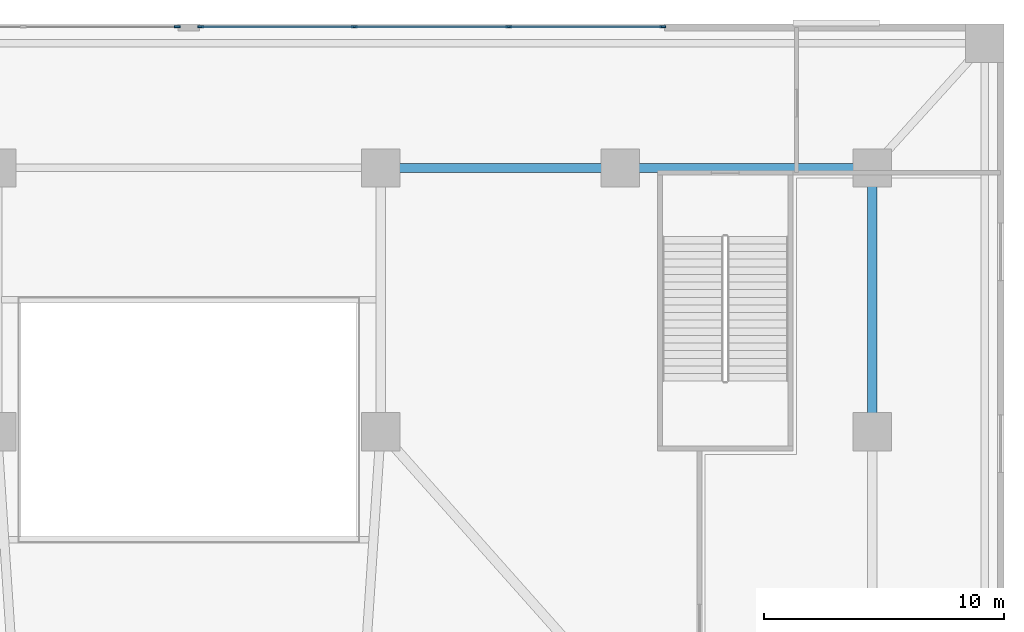
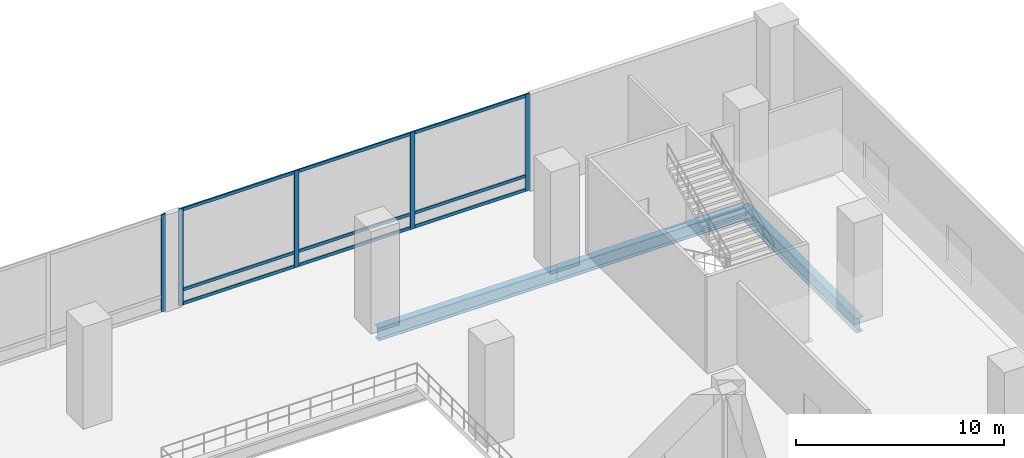
# One storey, part 4 of 16: 14 members, 3 beams, 2 elements without a shape of their own.
"""IFC4 building model written with IfcOpenShell, lengths in metres."""

from ifc_helpers import new_model, si_unit, direction, frame, origin, origin_2d, place, context, subcontext, project, spatial, rectangle, i_section, extrude, material, material_profile, profile_set, type_object, element, aggregate, save


model = new_model("IFC4")

# Units and contexts
model_context = context("Model", 3, precision=1e-05, world=origin(), true_north=direction((0.0, 1.0)))
body_context = subcontext(model_context, "Body", "Model", "MODEL_VIEW")
ifc_project = project(units=[si_unit("LENGTHUNIT", "METRE"), si_unit("AREAUNIT", "SQUARE_METRE"), si_unit("VOLUMEUNIT", "CUBIC_METRE"), si_unit("PLANEANGLEUNIT", "RADIAN"), si_unit("MASSUNIT", "GRAM", prefix="KILO")], contexts=[model_context])

# Site, building, storey
site_placement = place(None, origin())
site = spatial("IfcSite", under=ifc_project, at=site_placement, CompositionType="ELEMENT")
building_placement = place(site_placement, origin())
building = spatial("IfcBuilding", under=site, at=building_placement, Name="Solmavex Isthmus Hotel", CompositionType="ELEMENT")
storey_placement = place(building_placement, frame((0.0, 0.0, 5.39990234375)))
storey = spatial("IfcBuildingStorey", under=building, at=storey_placement, Name="L02", CompositionType="ELEMENT", Elevation=5.39990234375)

# Beams
ifc_material_1 = material(Name="Steel ASTM A992 Grade 50", Category="steel")
ifc_material_profile_1 = material_profile(ifc_material_1, i_section(OverallWidth=0.380615234375, OverallDepth=0.773193359375, WebThickness=0.0166015625, FlangeThickness=0.027099609375, FilletRadius=0.01904296875, at=origin_2d()), Name="W30X173")
ifc_profile_set_1 = profile_set([ifc_material_profile_1], Name="Steel ASTM A992 Grade 50")
beam_type_1 = type_object("IfcBeamType", Name="BM-BG-W30X173", PredefinedType="BEAM", material=ifc_profile_set_1)
beam_1_placement = place(storey_placement, frame((8.0, 17.5, -0.6865234375), z_axis=(1.0, 0.0, 0.0), x_axis=(0.0, 1.0, 0.0)))
element("IfcBeam", 1, at=beam_1_placement, inside=storey, type_object=beam_type_1, Name="Podium Primary Girder L02-G10", PredefinedType="BEAM", context=body_context, shape_type="SweptSolid", body=[
    extrude(i_section(OverallWidth=0.380615234375, OverallDepth=0.773193359375, WebThickness=0.0166015625, FlangeThickness=0.027099609375, FilletRadius=0.01904296875, at=origin_2d()), origin(), (0.0, 0.0, 1.0), 10.0),
])
beam_2_placement = place(storey_placement, frame((18.0, 17.5, -0.6865234375), z_axis=(1.0, 0.0, 0.0), x_axis=(0.0, 1.0, 0.0)))
element("IfcBeam", 2, at=beam_2_placement, inside=storey, type_object=beam_type_1, Name="Podium Primary Girder L02-G11", PredefinedType="BEAM", context=body_context, shape_type="SweptSolid", body=[
    extrude(i_section(OverallWidth=0.380615234375, OverallDepth=0.773193359375, WebThickness=0.0166015625, FlangeThickness=0.027099609375, FilletRadius=0.01904296875, at=origin_2d()), origin(), (0.0, 0.0, 1.0), 10.5),
])
ifc_material_profile_2 = material_profile(ifc_material_1, i_section(OverallWidth=0.39990234375, OverallDepth=0.85546875, WebThickness=0.018310546875, FlangeThickness=0.029296875, FilletRadius=0.020263671875, at=origin_2d()), Name="W33X201")
ifc_profile_set_2 = profile_set([ifc_material_profile_2], Name="Steel ASTM A992 Grade 50")
beam_type_2 = type_object("IfcBeamType", Name="BM-BG-W33X201", PredefinedType="BEAM", material=ifc_profile_set_2)
beam_3_placement = place(storey_placement, frame((28.5, 6.5, -0.7275390625), z_axis=(0.0, 1.0, 0.0), x_axis=(-1.0, 0.0, 0.0)))
element("IfcBeam", 3, at=beam_3_placement, inside=storey, type_object=beam_type_2, Name="Podium Primary Girder L02-G17", PredefinedType="BEAM", context=body_context, shape_type="SweptSolid", body=[
    extrude(i_section(OverallWidth=0.39990234375, OverallDepth=0.85546875, WebThickness=0.018310546875, FlangeThickness=0.029296875, FilletRadius=0.020263671875, at=origin_2d()), origin(), (0.0, 0.0, 1.0), 11.0),
])

# Curtain wall, member
ifc_material_2 = material(Name="Aluminium alloy 6063-T6", Category="aluminium")
curtain_wall_type = type_object("IfcCurtainWallType", Name="CW-SYS-01", PredefinedType="NOTDEFINED", material=ifc_material_2)
curtain_wall_1_placement = place(storey_placement, origin())
curtain_wall_1 = element("IfcCurtainWall", 4, at=curtain_wall_1_placement, inside=storey, type_object=curtain_wall_type, Name="Stick Curtain Wall CWL-L02-NW", PredefinedType="NOTDEFINED")
ifc_material_profile_3 = material_profile(ifc_material_2, rectangle(XDim=0.080078125, YDim=0.25, at=origin_2d()), Name="CWM-80X250")
ifc_profile_set_3 = profile_set([ifc_material_profile_3], Name="Aluminium alloy 6063-T6")
member_type_1 = type_object("IfcMemberType", Name="CW-SYS-01-MUL", PredefinedType="MULLION", material=ifc_profile_set_3)
member_1_placement = place(storey_placement, frame((-0.489990234375, 23.3798828125, 0.0), z_axis=(0.0, 0.0, 1.0), x_axis=(0.0, 1.0, 0.0)))
member_1 = element("IfcMember", 5, at=member_1_placement, type_object=member_type_1, Name="CW-01 mullion 4", PredefinedType="MULLION", context=body_context, shape_type="SweptSolid", body=[
    extrude(rectangle(XDim=0.080078125, YDim=0.25, at=origin_2d()), origin(), (0.0, 0.0, 1.0), 5.7001953125),
])
aggregate(curtain_wall_1, [member_1])

# Curtain wall, members
curtain_wall_2_placement = place(storey_placement, origin())
curtain_wall_2 = element("IfcCurtainWall", 6, at=curtain_wall_2_placement, inside=storey, type_object=curtain_wall_type, Name="Stick Curtain Wall CWL-L02-NE", PredefinedType="NOTDEFINED")
member_2_placement = place(storey_placement, frame((0.489990234375, 23.3798828125, 0.0), z_axis=(0.0, 0.0, 1.0), x_axis=(0.0, 1.0, 0.0)))
member_2 = element("IfcMember", 7, at=member_2_placement, type_object=member_type_1, Name="CW-01 mullion 1", PredefinedType="MULLION", context=body_context, shape_type="SweptSolid", body=[
    extrude(rectangle(XDim=0.080078125, YDim=0.25, at=origin_2d()), origin(), (0.0, 0.0, 1.0), 5.7001953125),
])
member_3_placement = place(storey_placement, frame((6.89990234375, 23.3798828125, 0.0), z_axis=(0.0, 0.0, 1.0), x_axis=(0.0, 1.0, 0.0)))
member_3 = element("IfcMember", 8, at=member_3_placement, type_object=member_type_1, Name="CW-01 mullion 2", PredefinedType="MULLION", context=body_context, shape_type="SweptSolid", body=[
    extrude(rectangle(XDim=0.080078125, YDim=0.25, at=origin_2d()), origin(), (0.0, 0.0, 1.0), 5.7001953125),
])
member_4_placement = place(storey_placement, frame((13.35009765625, 23.3798828125, 0.0), z_axis=(0.0, 0.0, 1.0), x_axis=(0.0, 1.0, 0.0)))
member_4 = element("IfcMember", 9, at=member_4_placement, type_object=member_type_1, Name="CW-01 mullion 3", PredefinedType="MULLION", context=body_context, shape_type="SweptSolid", body=[
    extrude(rectangle(XDim=0.080078125, YDim=0.25, at=origin_2d()), origin(), (0.0, 0.0, 1.0), 5.7001953125),
])
member_5_placement = place(storey_placement, frame((19.760009765625, 23.3798828125, 0.0), z_axis=(0.0, 0.0, 1.0), x_axis=(0.0, 1.0, 0.0)))
member_5 = element("IfcMember", 10, at=member_5_placement, type_object=member_type_1, Name="CW-01 mullion 4", PredefinedType="MULLION", context=body_context, shape_type="SweptSolid", body=[
    extrude(rectangle(XDim=0.080078125, YDim=0.25, at=origin_2d()), origin(), (0.0, 0.0, 1.0), 5.7001953125),
])
ifc_material_profile_4 = material_profile(ifc_material_2, rectangle(XDim=0.080078125, YDim=0.179931640625, at=origin_2d()), Name="CWT-80X180")
ifc_profile_set_4 = profile_set([ifc_material_profile_4], Name="Aluminium alloy 6063-T6")
member_type_2 = type_object("IfcMemberType", Name="CW-SYS-01-TRN", PredefinedType="USERDEFINED", material=ifc_profile_set_4)
member_6_placement = place(storey_placement, frame((0.530029296875, 23.3798828125, 0.090087890625), z_axis=(1.0, 0.0, 0.0), x_axis=(0.0, 1.0, 0.0)))
member_6 = element("IfcMember", 11, at=member_6_placement, type_object=member_type_2, Name="CW-01 transom 1.1", ObjectType="TRANSOM", PredefinedType="USERDEFINED", context=body_context, shape_type="SweptSolid", body=[
    extrude(rectangle(XDim=0.080078125, YDim=0.179931640625, at=origin_2d()), origin(), (0.0, 0.0, 1.0), 6.330078125),
])
member_7_placement = place(storey_placement, frame((0.530029296875, 23.3798828125, 0.900146484375), z_axis=(1.0, 0.0, 0.0), x_axis=(0.0, 1.0, 0.0)))
member_7 = element("IfcMember", 12, at=member_7_placement, type_object=member_type_2, Name="CW-01 transom 1.2", ObjectType="TRANSOM", PredefinedType="USERDEFINED", context=body_context, shape_type="SweptSolid", body=[
    extrude(rectangle(XDim=0.080078125, YDim=0.179931640625, at=origin_2d()), origin(), (0.0, 0.0, 1.0), 6.330078125),
])
member_8_placement = place(storey_placement, frame((0.530029296875, 23.3798828125, 5.610107421875), z_axis=(1.0, 0.0, 0.0), x_axis=(0.0, 1.0, 0.0)))
member_8 = element("IfcMember", 13, at=member_8_placement, type_object=member_type_2, Name="CW-01 transom 1.3", ObjectType="TRANSOM", PredefinedType="USERDEFINED", context=body_context, shape_type="SweptSolid", body=[
    extrude(rectangle(XDim=0.080078125, YDim=0.179931640625, at=origin_2d()), origin(), (0.0, 0.0, 1.0), 6.330078125),
])
member_9_placement = place(storey_placement, frame((6.93994140625, 23.3798828125, 0.090087890625), z_axis=(1.0, 0.0, 0.0), x_axis=(0.0, 1.0, 0.0)))
member_9 = element("IfcMember", 14, at=member_9_placement, type_object=member_type_2, Name="CW-01 transom 2.1", ObjectType="TRANSOM", PredefinedType="USERDEFINED", context=body_context, shape_type="SweptSolid", body=[
    extrude(rectangle(XDim=0.080078125, YDim=0.179931640625, at=origin_2d()), origin(), (0.0, 0.0, 1.0), 6.3701171875),
])
member_10_placement = place(storey_placement, frame((6.93994140625, 23.3798828125, 0.900146484375), z_axis=(1.0, 0.0, 0.0), x_axis=(0.0, 1.0, 0.0)))
member_10 = element("IfcMember", 15, at=member_10_placement, type_object=member_type_2, Name="CW-01 transom 2.2", ObjectType="TRANSOM", PredefinedType="USERDEFINED", context=body_context, shape_type="SweptSolid", body=[
    extrude(rectangle(XDim=0.080078125, YDim=0.179931640625, at=origin_2d()), origin(), (0.0, 0.0, 1.0), 6.3701171875),
])
member_11_placement = place(storey_placement, frame((6.93994140625, 23.3798828125, 5.610107421875), z_axis=(1.0, 0.0, 0.0), x_axis=(0.0, 1.0, 0.0)))
member_11 = element("IfcMember", 16, at=member_11_placement, type_object=member_type_2, Name="CW-01 transom 2.3", ObjectType="TRANSOM", PredefinedType="USERDEFINED", context=body_context, shape_type="SweptSolid", body=[
    extrude(rectangle(XDim=0.080078125, YDim=0.179931640625, at=origin_2d()), origin(), (0.0, 0.0, 1.0), 6.3701171875),
])
member_12_placement = place(storey_placement, frame((13.389892578125, 23.3798828125, 0.090087890625), z_axis=(1.0, 0.0, 0.0), x_axis=(0.0, 1.0, 0.0)))
member_12 = element("IfcMember", 17, at=member_12_placement, type_object=member_type_2, Name="CW-01 transom 3.1", ObjectType="TRANSOM", PredefinedType="USERDEFINED", context=body_context, shape_type="SweptSolid", body=[
    extrude(rectangle(XDim=0.080078125, YDim=0.179931640625, at=origin_2d()), origin(), (0.0, 0.0, 1.0), 6.330078125),
])
member_13_placement = place(storey_placement, frame((13.389892578125, 23.3798828125, 0.900146484375), z_axis=(1.0, 0.0, 0.0), x_axis=(0.0, 1.0, 0.0)))
member_13 = element("IfcMember", 18, at=member_13_placement, type_object=member_type_2, Name="CW-01 transom 3.2", ObjectType="TRANSOM", PredefinedType="USERDEFINED", context=body_context, shape_type="SweptSolid", body=[
    extrude(rectangle(XDim=0.080078125, YDim=0.179931640625, at=origin_2d()), origin(), (0.0, 0.0, 1.0), 6.330078125),
])
member_14_placement = place(storey_placement, frame((13.389892578125, 23.3798828125, 5.610107421875), z_axis=(1.0, 0.0, 0.0), x_axis=(0.0, 1.0, 0.0)))
member_14 = element("IfcMember", 19, at=member_14_placement, type_object=member_type_2, Name="CW-01 transom 3.3", ObjectType="TRANSOM", PredefinedType="USERDEFINED", context=body_context, shape_type="SweptSolid", body=[
    extrude(rectangle(XDim=0.080078125, YDim=0.179931640625, at=origin_2d()), origin(), (0.0, 0.0, 1.0), 6.330078125),
])
aggregate(curtain_wall_2, [member_2, member_3, member_4, member_5, member_6, member_7, member_8, member_9, member_10, member_11, member_12, member_13, member_14])

save(model, "model.ifc")
